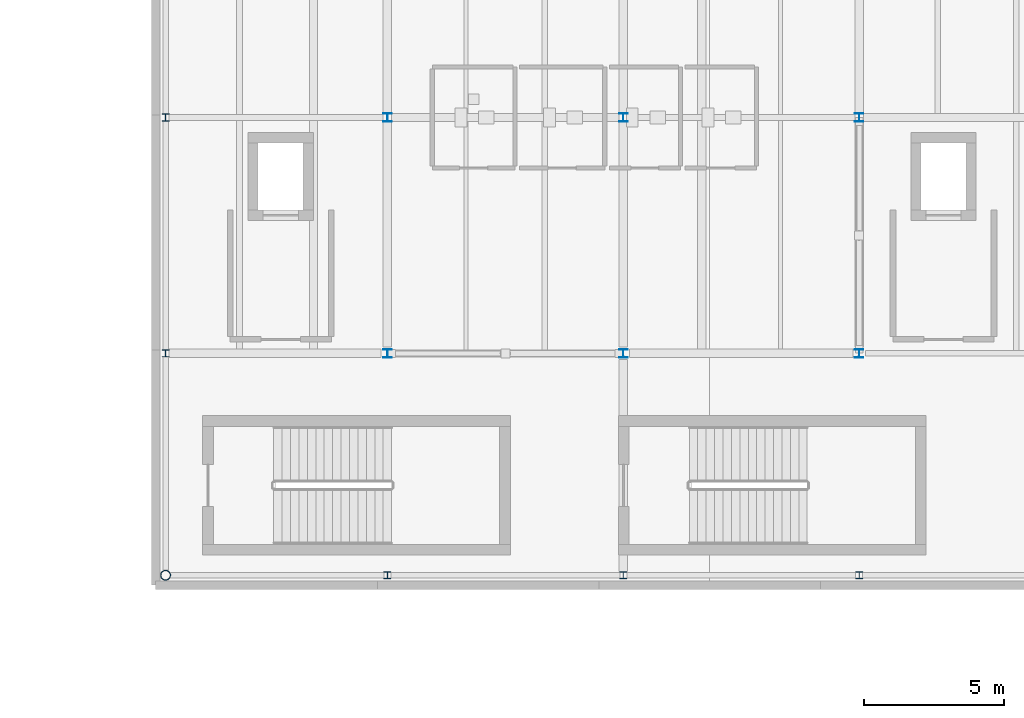
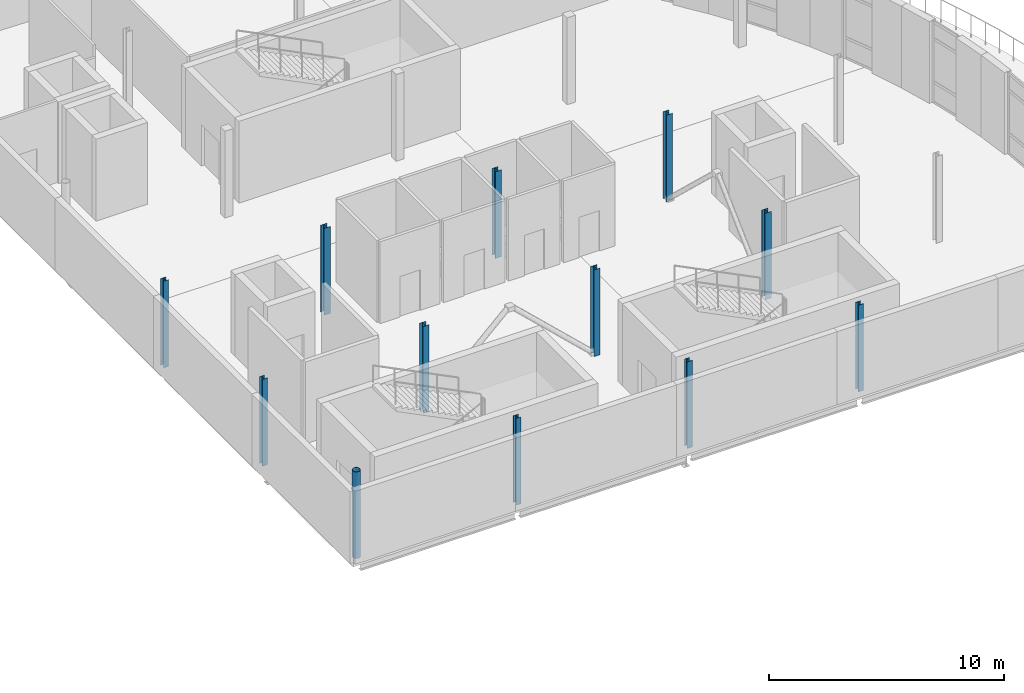
# One storey, part 2 of 40: 12 columns.
"""IFC4 building model written with IfcOpenShell, lengths in metres."""

from ifc_helpers import new_model, si_unit, direction, frame, origin, origin_2d, place, context, subcontext, project, spatial, hollow_circle, i_section, extrude, material, material_profile, profile_set, type_object, element, save


model = new_model("IFC4")

# Units and contexts
model_context = context("Model", 3, precision=1e-05, world=origin(), true_north=direction((0.0, 1.0)))
body_context = subcontext(model_context, "Body", "Model", "MODEL_VIEW")
ifc_project = project(units=[si_unit("LENGTHUNIT", "METRE"), si_unit("AREAUNIT", "SQUARE_METRE"), si_unit("VOLUMEUNIT", "CUBIC_METRE"), si_unit("PLANEANGLEUNIT", "RADIAN"), si_unit("MASSUNIT", "GRAM", prefix="KILO"), si_unit("THERMODYNAMICTEMPERATUREUNIT", "KELVIN")], contexts=[model_context])

# Site, building, storey
site_placement = place(None, origin())
site = spatial("IfcSite", under=ifc_project, at=site_placement, CompositionType="ELEMENT")
building_placement = place(site_placement, origin())
building = spatial("IfcBuilding", under=site, at=building_placement, Name="Lustrewick Department Store", CompositionType="ELEMENT")
storey_placement = place(building_placement, frame((0.0, 0.0, 31.800048828125)))
storey = spatial("IfcBuildingStorey", under=building, at=storey_placement, Name="L07", CompositionType="ELEMENT", Elevation=31.800048828125)

# Columns
ifc_material = material(Name="Structural steel Q355B", Category="steel")
ifc_material_profile_1 = material_profile(ifc_material, i_section(OverallWidth=0.302001953125, OverallDepth=0.2939453125, WebThickness=0.011962890625, FlangeThickness=0.011962890625, FilletRadius=0.01806640625, at=origin_2d()), Name="HW 294x302x12x12")
ifc_profile_set_1 = profile_set([ifc_material_profile_1], Name="Structural steel Q355B")
column_type_1 = type_object("IfcColumnType", Name="C16", PredefinedType="COLUMN", material=ifc_profile_set_1)
for number, where, z_axis, x_axis, name in (
    (1, (117.60009765625, 58.800048828125, 0.0), (0.0, 0.0, 1.0), (1.0, 0.0, 0.0), "L07 V4 Column C16"),
    (2, (117.60009765625, 67.199951171875, 0.0), (0.0, 0.0, 1.0), (1.0, 0.0, 0.0), "L07 V4 Column C16"),
    (3, (126.0, 58.800048828125, 0.0), (0.0, 0.0, 1.0), (1.0, 0.0, 0.0), "L07 V4 Column C16"),
    (4, (126.0, 67.199951171875, 0.0), (0.0, 0.0, 1.0), (1.0, 0.0, 0.0), "L07 V4 Column C16"),
    (5, (134.39990234375, 58.800048828125, 0.0), (0.0, 0.0, 1.0), (1.0, 0.0, 0.0), "L07 V4 Column C16"),
    (6, (134.39990234375, 67.199951171875, 0.0), (0.0, 0.0, 1.0), (1.0, 0.0, 0.0), "L07 V4 Column C16"),
):
    element("IfcColumn", number, at=place(storey_placement, frame(where, z_axis=z_axis, x_axis=x_axis)), inside=storey, type_object=column_type_1, Name=name, PredefinedType="COLUMN", context=body_context, shape_type="SweptSolid", body=[
        extrude(i_section(OverallWidth=0.302001953125, OverallDepth=0.2939453125, WebThickness=0.011962890625, FlangeThickness=0.011962890625, FilletRadius=0.01806640625, at=origin_2d()), origin(), (0.0, 0.0, 1.0), 4.5),
    ])
ifc_material_profile_2 = material_profile(ifc_material, hollow_circle(Radius=0.177978515625, WallThickness=0.013916015625, at=origin_2d()), Name="CHS 356x14")
ifc_profile_set_2 = profile_set([ifc_material_profile_2], Name="Structural steel Q355B")
column_type_2 = type_object("IfcColumnType", Name="CE05", PredefinedType="COLUMN", material=ifc_profile_set_2)
column_placement = place(storey_placement, frame((109.699951171875, 50.89990234375, 0.0), z_axis=(0.0, 0.0, 1.0), x_axis=(1.0, 0.0, 0.0)))
element("IfcColumn", 7, at=column_placement, inside=storey, type_object=column_type_2, Name="L07 V4 Column CE05", PredefinedType="COLUMN", context=body_context, shape_type="SweptSolid", body=[
    extrude(hollow_circle(Radius=0.177978515625, WallThickness=0.013916015625, at=origin_2d()), origin(), (0.0, 0.0, 1.0), 4.5),
])
ifc_material_profile_3 = material_profile(ifc_material, i_section(OverallWidth=0.25, OverallDepth=0.25, WebThickness=0.009033203125, FlangeThickness=0.013916015625, FilletRadius=0.01611328125, at=origin_2d()), Name="HW 250x250x9x14")
ifc_profile_set_3 = profile_set([ifc_material_profile_3], Name="Structural steel Q355B")
column_type_3 = type_object("IfcColumnType", Name="CE08", PredefinedType="COLUMN", material=ifc_profile_set_3)
for number, where, z_axis, x_axis, name in (
    (8, (109.699951171875, 58.800048828125, 0.0), (0.0, 0.0, 1.0), (1.0, 0.0, 0.0), "L07 V4 Column CE08"),
    (9, (109.699951171875, 67.199951171875, 0.0), (0.0, 0.0, 1.0), (1.0, 0.0, 0.0), "L07 V4 Column CE08"),
    (10, (117.60009765625, 50.89990234375, 0.0), (0.0, 0.0, 1.0), (1.0, 0.0, 0.0), "L07 V4 Column CE08"),
    (11, (126.0, 50.89990234375, 0.0), (0.0, 0.0, 1.0), (1.0, 0.0, 0.0), "L07 V4 Column CE08"),
    (12, (134.39990234375, 50.89990234375, 0.0), (0.0, 0.0, 1.0), (1.0, 0.0, 0.0), "L07 V4 Column CE08"),
):
    element("IfcColumn", number, at=place(storey_placement, frame(where, z_axis=z_axis, x_axis=x_axis)), inside=storey, type_object=column_type_3, Name=name, PredefinedType="COLUMN", context=body_context, shape_type="SweptSolid", body=[
        extrude(i_section(OverallWidth=0.25, OverallDepth=0.25, WebThickness=0.009033203125, FlangeThickness=0.013916015625, FilletRadius=0.01611328125, at=origin_2d()), origin(), (0.0, 0.0, 1.0), 4.5),
    ])

save(model, "model.ifc")
